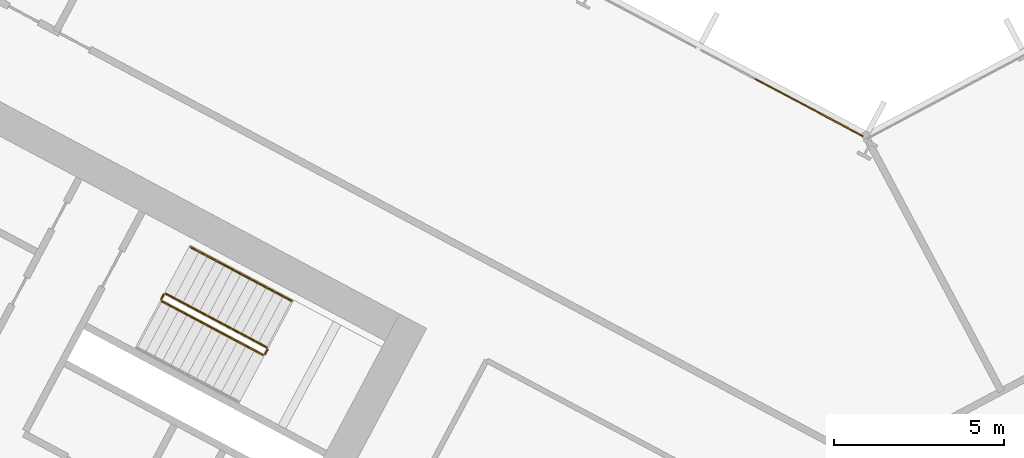
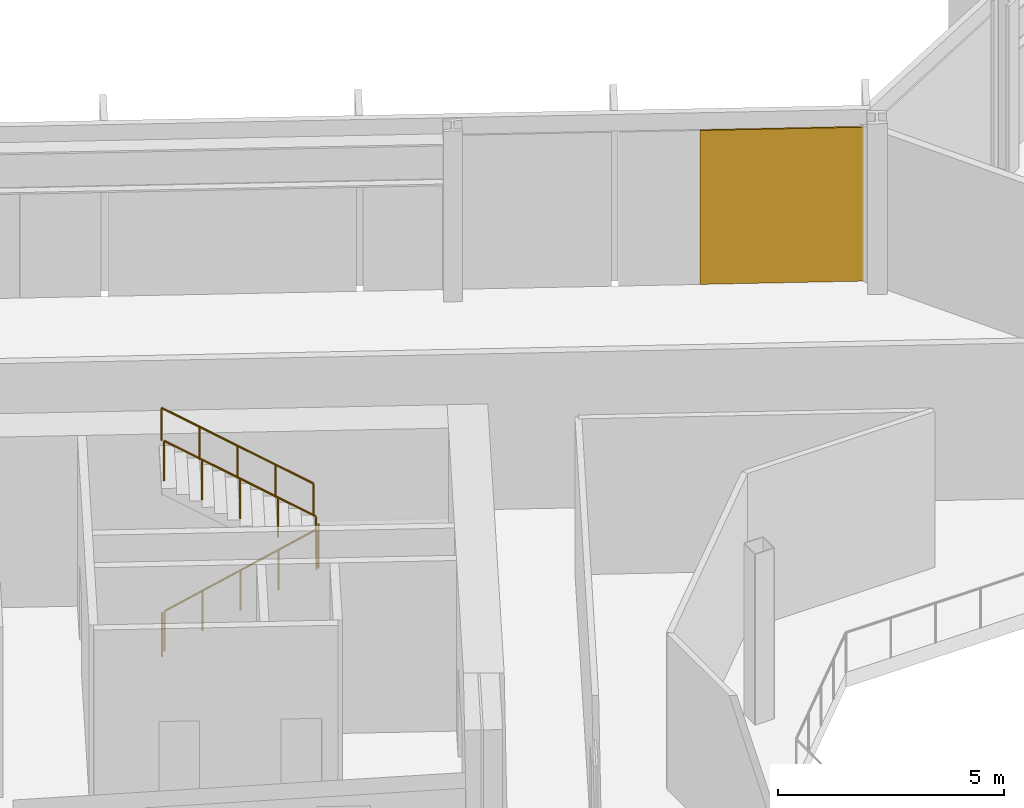
# One storey, part 25 of 31: 5 railings, 1 covering, 1 element without a shape of its own.
"""IFC4 building model written with IfcOpenShell, lengths in metres."""

from ifc_helpers import new_model, si_unit, direction, frame, origin, origin_2d, place, context, subcontext, project, spatial, polyline, rectangle, outline, extrude, material, layer, layer_set, type_object, element, aggregate, save


model = new_model("IFC4")

# Units and contexts
model_context = context("Model", 3, precision=1e-05, world=origin(), true_north=direction((0.0, 1.0)))
body_context = subcontext(model_context, "Body", "Model", "MODEL_VIEW")
ifc_project = project(units=[si_unit("LENGTHUNIT", "METRE"), si_unit("AREAUNIT", "SQUARE_METRE"), si_unit("VOLUMEUNIT", "CUBIC_METRE"), si_unit("PLANEANGLEUNIT", "RADIAN"), si_unit("MASSUNIT", "GRAM", prefix="KILO")], contexts=[model_context])

# Site, building, storey
site_placement = place(None, origin())
site = spatial("IfcSite", under=ifc_project, at=site_placement, CompositionType="ELEMENT")
building_placement = place(site_placement, origin())
building = spatial("IfcBuilding", under=site, at=building_placement, Name="Cormorant Relay Tower", CompositionType="ELEMENT")
storey_placement = place(building_placement, frame((0.0, 0.0, 98.39990234375)))
storey = spatial("IfcBuildingStorey", under=building, at=storey_placement, Name="L19", CompositionType="ELEMENT", Elevation=98.39990234375)

# Curtain wall, covering
ifc_material_1 = material(Name="Aluminium 6063-T6 anodised bronze", Category="aluminium")
ifc_layer_1 = layer(ifc_material_1, 0.199951171875)
ifc_layer_set_1 = layer_set([ifc_layer_1], Name="CW1 unitised bronze curtain wall with vertical fins")
curtain_wall_type = type_object("IfcCurtainWallType", Name="CW1 unitised bronze curtain wall with vertical fins", PredefinedType="NOTDEFINED", material=ifc_layer_set_1)
curtain_wall_placement = place(storey_placement, origin())
curtain_wall = element("IfcCurtainWall", 1, at=curtain_wall_placement, inside=storey, type_object=curtain_wall_type, Name="CW1 curtain wall 7", PredefinedType="NOTDEFINED")
ifc_material_2 = material(Name="Pale bronze anodised aluminium insulated panel", Category="aluminium")
ifc_layer_2 = layer(ifc_material_2, 0.0400390625)
ifc_layer_set_2 = layer_set([ifc_layer_2], Name="CW1 pale bronze insulated panel 40")
covering_type = type_object("IfcCoveringType", Name="CW1 pale bronze insulated panel 40", PredefinedType="CLADDING", material=ifc_layer_set_2)
covering_placement = place(storey_placement, frame((-1.718505859375, 24.720458984375, 0.000244140625), z_axis=(0.0, 0.0, 1.0), x_axis=(-0.882947592859, 0.469471562786, 0.0)))
covering = element("IfcCovering", 2, at=covering_placement, type_object=covering_type, Name="CW1 panel S00", PredefinedType="CLADDING", context=body_context, shape_type="SweptSolid", body=[
    extrude(rectangle(XDim=3.614013671875, YDim=0.0400390625, at=origin_2d()), origin(), (0.0, 0.0, 1.0), 4.14990234375),
])
aggregate(curtain_wall, [covering])

# Railings
ifc_material_3 = material(Name="Steel ASTM A572 Grade 50 (Fy 345 MPa)", Category="steel")
railing_type_1 = type_object("IfcRailingType", Name="Stair guard 1100", PredefinedType="GUARDRAIL", material=ifc_material_3)
railing_1_placement = place(storey_placement, frame((-20.75048828125, 19.017822265625, 0.177001953125)))
element("IfcRailing", 3, at=railing_1_placement, inside=storey, type_object=railing_type_1, Name="L19 A1 stair guard 1", PredefinedType="GUARDRAIL", context=body_context, shape_type="SweptSolid", body=[
    extrude(outline(polyline([(0.022216796875, 0.00927734375), (0.00927734375, 0.022216796875), (-0.00927734375, 0.022216796875), (-0.022216796875, 0.00927734375), (-0.022216796875, -0.00927734375), (-0.00927734375, -0.022216796875), (0.00927734375, -0.022216796875), (0.022216796875, -0.00927734375), (0.022216796875, 0.00927734375)])), frame((0.0, 0.0, 1.076171875), z_axis=(0.746413465702, -0.396887285154, 0.534179203172), x_axis=(0.469482818608, 0.88294160794, 0.0)), (0.0, 0.0, 1.0), 3.974365234375),
    extrude(outline(polyline([(0.019287109375, 0.008056640625), (0.008056640625, 0.019287109375), (-0.008056640625, 0.019287109375), (-0.019287109375, 0.008056640625), (-0.019287109375, -0.008056640625), (-0.008056640625, -0.019287109375), (0.008056640625, -0.019287109375), (0.019287109375, -0.008056640625), (0.019287109375, 0.008056640625)])), origin(), (0.0, 0.0, 1.0), 1.052001953125),
    extrude(outline(polyline([(0.019287109375, 0.008056640625), (0.008056640625, 0.019287109375), (-0.008056640625, 0.019287109375), (-0.019287109375, 0.008056640625), (-0.019287109375, -0.008056640625), (-0.008056640625, -0.019287109375), (0.008056640625, -0.019287109375), (0.019287109375, -0.008056640625), (0.019287109375, 0.008056640625)])), frame((0.74169921875, -0.394287109375, 0.53076171875)), (0.0, 0.0, 1.0), 1.052001953125),
    extrude(outline(polyline([(0.019287109375, 0.008056640625), (0.008056640625, 0.019287109375), (-0.008056640625, 0.019287109375), (-0.019287109375, 0.008056640625), (-0.019287109375, -0.008056640625), (-0.008056640625, -0.019287109375), (0.008056640625, -0.019287109375), (0.019287109375, -0.008056640625), (0.019287109375, 0.008056640625)])), frame((1.4833984375, -0.78857421875, 1.0615234375)), (0.0, 0.0, 1.0), 1.052001953125),
    extrude(outline(polyline([(0.019287109375, 0.008056640625), (0.008056640625, 0.019287109375), (-0.008056640625, 0.019287109375), (-0.019287109375, 0.008056640625), (-0.019287109375, -0.008056640625), (-0.008056640625, -0.019287109375), (0.008056640625, -0.019287109375), (0.019287109375, -0.008056640625), (0.019287109375, 0.008056640625)])), frame((2.224853515625, -1.18310546875, 1.59228515625)), (0.0, 0.0, 1.0), 1.052001953125),
    extrude(outline(polyline([(0.019287109375, 0.008056640625), (0.008056640625, 0.019287109375), (-0.008056640625, 0.019287109375), (-0.019287109375, 0.008056640625), (-0.019287109375, -0.008056640625), (-0.008056640625, -0.019287109375), (0.008056640625, -0.019287109375), (0.019287109375, -0.008056640625), (0.019287109375, 0.008056640625)])), frame((2.966552734375, -1.577392578125, 2.123046875)), (0.0, 0.0, 1.0), 1.052001953125),
])
railing_2_placement = place(storey_placement, frame((-17.71630859375, 17.461181640625, 2.300048828125)))
element("IfcRailing", 4, at=railing_2_placement, inside=storey, type_object=railing_type_1, Name="L19 A1 stair guard 2", PredefinedType="GUARDRAIL", context=body_context, shape_type="SweptSolid", body=[
    extrude(outline(polyline([(0.022216796875, 0.00927734375), (0.00927734375, 0.022216796875), (-0.00927734375, 0.022216796875), (-0.022216796875, 0.00927734375), (-0.022216796875, -0.00927734375), (-0.00927734375, -0.022216796875), (0.00927734375, -0.022216796875), (0.022216796875, -0.00927734375), (0.022216796875, 0.00927734375)])), frame((0.0, 0.0, 1.076171875), z_axis=(0.470503732759, 0.882398003998, 0.0), x_axis=(-0.882398003998, 0.470503732759, 0.0)), (0.0, 0.0, 1.0), 0.14990234375),
    extrude(outline(polyline([(0.019287109375, 0.008056640625), (0.008056640625, 0.019287109375), (-0.008056640625, 0.019287109375), (-0.019287109375, 0.008056640625), (-0.019287109375, -0.008056640625), (-0.008056640625, -0.019287109375), (0.008056640625, -0.019287109375), (0.019287109375, -0.008056640625), (0.019287109375, 0.008056640625)])), origin(), (0.0, 0.0, 1.0), 1.052001953125),
    extrude(outline(polyline([(0.019287109375, 0.008056640625), (0.008056640625, 0.019287109375), (-0.008056640625, 0.019287109375), (-0.019287109375, 0.008056640625), (-0.019287109375, -0.008056640625), (-0.008056640625, -0.019287109375), (0.008056640625, -0.019287109375), (0.019287109375, -0.008056640625), (0.019287109375, 0.008056640625)])), frame((0.070556640625, 0.13232421875, 0.0)), (0.0, 0.0, 1.0), 1.052001953125),
])
railing_3_placement = place(storey_placement, frame((-17.66650390625, 17.6611328125, 2.47705078125)))
element("IfcRailing", 5, at=railing_3_placement, inside=storey, type_object=railing_type_1, Name="L19 A1 stair guard 3", PredefinedType="GUARDRAIL", context=body_context, shape_type="SweptSolid", body=[
    extrude(outline(polyline([(0.022216796875, 0.00927734375), (0.00927734375, 0.022216796875), (-0.00927734375, 0.022216796875), (-0.022216796875, 0.00927734375), (-0.022216796875, -0.00927734375), (-0.00927734375, -0.022216796875), (0.00927734375, -0.022216796875), (0.022216796875, -0.00927734375), (0.022216796875, 0.00927734375)])), frame((0.0, 0.0, 1.076171875), z_axis=(-0.746440668329, 0.396869088057, 0.534154711306), x_axis=(-0.46945269911, -0.882957622595, 0.0)), (0.0, 0.0, 1.0), 3.974609375),
    extrude(outline(polyline([(0.019287109375, 0.008056640625), (0.008056640625, 0.019287109375), (-0.008056640625, 0.019287109375), (-0.019287109375, 0.008056640625), (-0.019287109375, -0.008056640625), (-0.008056640625, -0.019287109375), (0.008056640625, -0.019287109375), (0.019287109375, -0.008056640625), (0.019287109375, 0.008056640625)])), origin(), (0.0, 0.0, 1.0), 1.052001953125),
    extrude(outline(polyline([(0.019287109375, 0.008056640625), (0.008056640625, 0.019287109375), (-0.008056640625, 0.019287109375), (-0.019287109375, 0.008056640625), (-0.019287109375, -0.008056640625), (-0.008056640625, -0.019287109375), (0.008056640625, -0.019287109375), (0.019287109375, -0.008056640625), (0.019287109375, 0.008056640625)])), frame((-0.74169921875, 0.394287109375, 0.53076171875)), (0.0, 0.0, 1.0), 1.052001953125),
    extrude(outline(polyline([(0.019287109375, 0.008056640625), (0.008056640625, 0.019287109375), (-0.008056640625, 0.019287109375), (-0.019287109375, 0.008056640625), (-0.019287109375, -0.008056640625), (-0.008056640625, -0.019287109375), (0.008056640625, -0.019287109375), (0.019287109375, -0.008056640625), (0.019287109375, 0.008056640625)])), frame((-1.4833984375, 0.78857421875, 1.0615234375)), (0.0, 0.0, 1.0), 1.052001953125),
    extrude(outline(polyline([(0.019287109375, 0.008056640625), (0.008056640625, 0.019287109375), (-0.008056640625, 0.019287109375), (-0.019287109375, 0.008056640625), (-0.019287109375, -0.008056640625), (-0.008056640625, -0.019287109375), (0.008056640625, -0.019287109375), (0.019287109375, -0.008056640625), (0.019287109375, 0.008056640625)])), frame((-2.22509765625, 1.18310546875, 1.59228515625)), (0.0, 0.0, 1.0), 1.052001953125),
    extrude(outline(polyline([(0.019287109375, 0.008056640625), (0.008056640625, 0.019287109375), (-0.008056640625, 0.019287109375), (-0.019287109375, 0.008056640625), (-0.019287109375, -0.008056640625), (-0.008056640625, -0.019287109375), (0.008056640625, -0.019287109375), (0.019287109375, -0.008056640625), (0.019287109375, 0.008056640625)])), frame((-2.966796875, 1.577392578125, 2.123046875)), (0.0, 0.0, 1.0), 1.052001953125),
])
railing_4_placement = place(storey_placement, frame((-20.771240234375, 19.08544921875, 0.0)))
element("IfcRailing", 6, at=railing_4_placement, inside=storey, type_object=railing_type_1, Name="L19 A1 stair guard 4", PredefinedType="GUARDRAIL", context=body_context, shape_type="SweptSolid", body=[
    extrude(outline(polyline([(0.022216796875, 0.00927734375), (0.00927734375, 0.022216796875), (-0.00927734375, 0.022216796875), (-0.022216796875, 0.00927734375), (-0.022216796875, -0.00927734375), (-0.00927734375, -0.022216796875), (0.00927734375, -0.022216796875), (0.022216796875, -0.00927734375), (0.022216796875, 0.00927734375)])), frame((0.0, 0.0, 1.076171875), z_axis=(0.469828648786, 0.882757634224, 0.0), x_axis=(-0.882757634224, 0.469828648786, 0.0)), (0.0, 0.0, 1.0), 0.150146484375),
    extrude(outline(polyline([(0.019287109375, 0.008056640625), (0.008056640625, 0.019287109375), (-0.008056640625, 0.019287109375), (-0.019287109375, 0.008056640625), (-0.019287109375, -0.008056640625), (-0.008056640625, -0.019287109375), (0.008056640625, -0.019287109375), (0.019287109375, -0.008056640625), (0.019287109375, 0.008056640625)])), origin(), (0.0, 0.0, 1.0), 1.052001953125),
    extrude(outline(polyline([(0.019287109375, 0.008056640625), (0.008056640625, 0.019287109375), (-0.008056640625, 0.019287109375), (-0.019287109375, 0.008056640625), (-0.019287109375, -0.008056640625), (-0.008056640625, -0.019287109375), (0.008056640625, -0.019287109375), (0.019287109375, -0.008056640625), (0.019287109375, 0.008056640625)])), frame((0.070556640625, 0.132568359375, 0.0)), (0.0, 0.0, 1.0), 1.052001953125),
])
ifc_material_4 = material(Name="Steel ASTM A572 Grade 50 (Fy 345 MPa)", Category="steel")
railing_type_2 = type_object("IfcRailingType", Name="Stair handrail 900", PredefinedType="HANDRAIL", material=ifc_material_4)
railing_5_placement = place(storey_placement, frame((-16.938720703125, 19.02978515625, 2.47705078125)))
element("IfcRailing", 7, at=railing_5_placement, inside=storey, type_object=railing_type_2, Name="L19 A1 stair handrail 2", PredefinedType="HANDRAIL", context=body_context, shape_type="SweptSolid", body=[
    extrude(outline(polyline([(0.022216796875, 0.00927734375), (0.00927734375, 0.022216796875), (-0.00927734375, 0.022216796875), (-0.022216796875, 0.00927734375), (-0.022216796875, -0.00927734375), (-0.00927734375, -0.022216796875), (0.00927734375, -0.022216796875), (0.022216796875, -0.00927734375), (0.022216796875, 0.00927734375)])), frame((0.0, 0.0, 0.8759765625), z_axis=(-0.746440668329, 0.396869088057, 0.534154711306), x_axis=(-0.46945269911, -0.882957622595, 0.0)), (0.0, 0.0, 1.0), 3.974609375),
    extrude(outline(polyline([(0.019287109375, 0.008056640625), (0.008056640625, 0.019287109375), (-0.008056640625, 0.019287109375), (-0.019287109375, 0.008056640625), (-0.019287109375, -0.008056640625), (-0.008056640625, -0.019287109375), (0.008056640625, -0.019287109375), (0.019287109375, -0.008056640625), (0.019287109375, 0.008056640625)])), origin(), (0.0, 0.0, 1.0), 0.851806640625),
    extrude(outline(polyline([(0.019287109375, 0.008056640625), (0.008056640625, 0.019287109375), (-0.008056640625, 0.019287109375), (-0.019287109375, 0.008056640625), (-0.019287109375, -0.008056640625), (-0.008056640625, -0.019287109375), (0.008056640625, -0.019287109375), (0.019287109375, -0.008056640625), (0.019287109375, 0.008056640625)])), frame((-0.74169921875, 0.394287109375, 0.53076171875)), (0.0, 0.0, 1.0), 0.851806640625),
    extrude(outline(polyline([(0.019287109375, 0.008056640625), (0.008056640625, 0.019287109375), (-0.008056640625, 0.019287109375), (-0.019287109375, 0.008056640625), (-0.019287109375, -0.008056640625), (-0.008056640625, -0.019287109375), (0.008056640625, -0.019287109375), (0.019287109375, -0.008056640625), (0.019287109375, 0.008056640625)])), frame((-1.4833984375, 0.78857421875, 1.0615234375)), (0.0, 0.0, 1.0), 0.851806640625),
    extrude(outline(polyline([(0.019287109375, 0.008056640625), (0.008056640625, 0.019287109375), (-0.008056640625, 0.019287109375), (-0.019287109375, 0.008056640625), (-0.019287109375, -0.008056640625), (-0.008056640625, -0.019287109375), (0.008056640625, -0.019287109375), (0.019287109375, -0.008056640625), (0.019287109375, 0.008056640625)])), frame((-2.22509765625, 1.18310546875, 1.59228515625)), (0.0, 0.0, 1.0), 0.851806640625),
    extrude(outline(polyline([(0.019287109375, 0.008056640625), (0.008056640625, 0.019287109375), (-0.008056640625, 0.019287109375), (-0.019287109375, 0.008056640625), (-0.019287109375, -0.008056640625), (-0.008056640625, -0.019287109375), (0.008056640625, -0.019287109375), (0.019287109375, -0.008056640625), (0.019287109375, 0.008056640625)])), frame((-2.966796875, 1.577392578125, 2.123046875)), (0.0, 0.0, 1.0), 0.851806640625),
])

save(model, "model.ifc")
